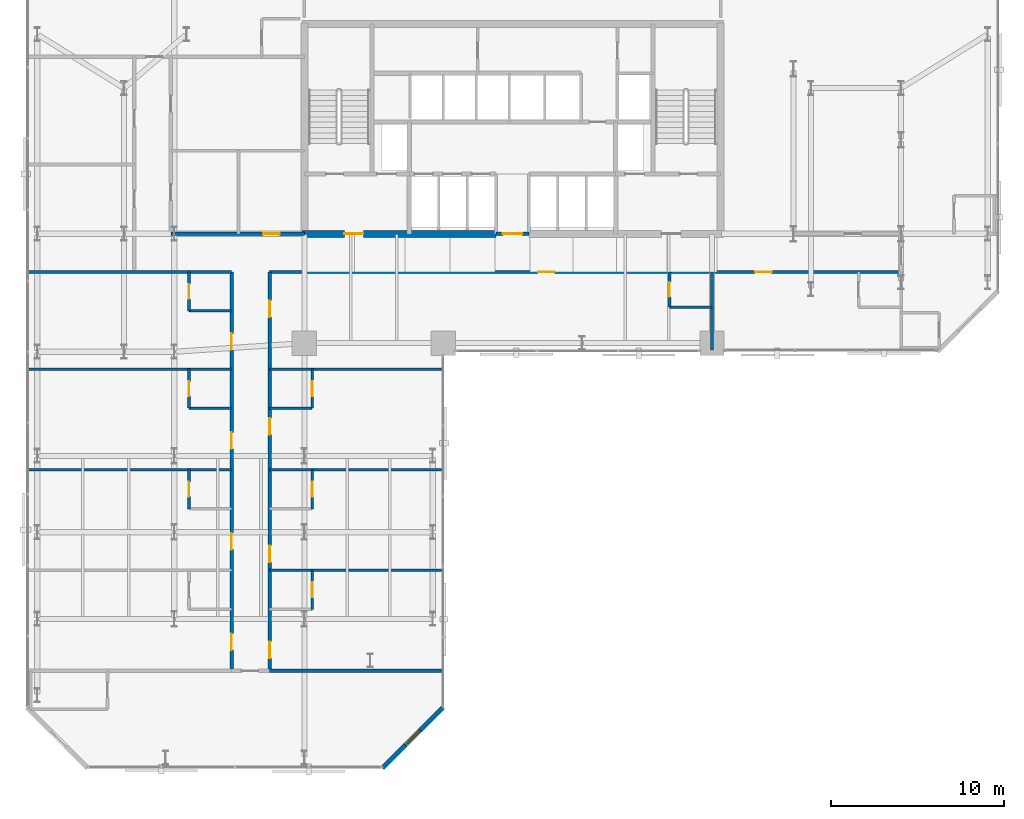
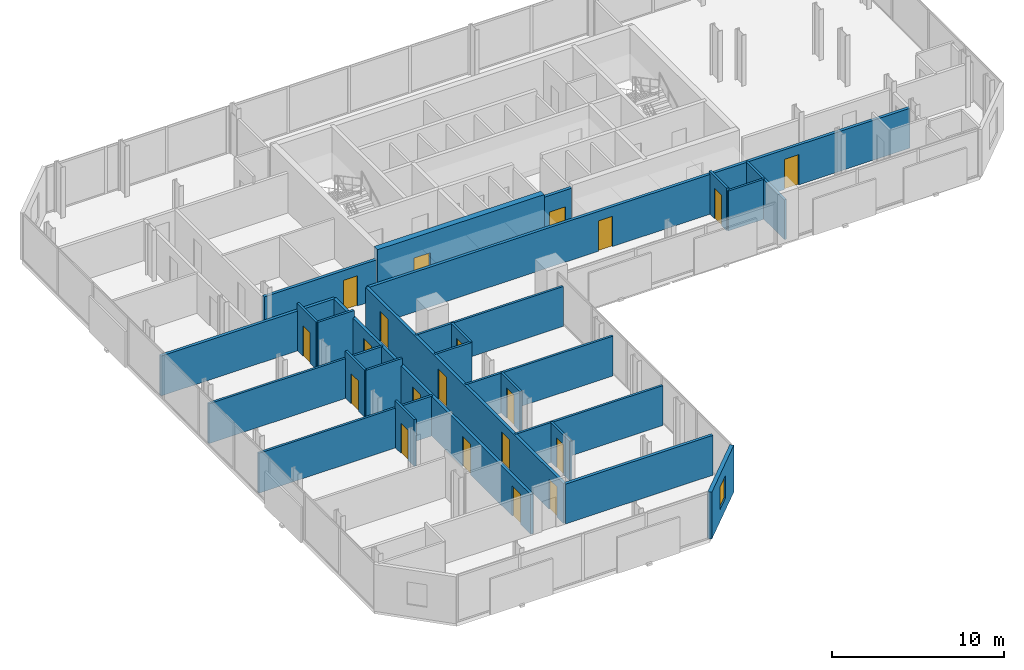
# One storey, part 28 of 32: 26 walls, 20 doors, 1 window, 21 openings.
"""IFC4 building model written with IfcOpenShell, lengths in metres."""

import ifcopenshell
import ifcopenshell.guid

model = None  # the IFC model being written
_history = None  # IfcOwnerHistory: only IFC2X3 demands one
_inside = {}  # id of a spatial element -> (the spatial element, [elements in it])
_under = {}  # id of a project, library or spatial element -> (it, [spatial elements below it])
_declared = {}  # id of a project -> (the project, [libraries it declares])
_typed = {}  # id of a type object -> (the type object, [elements of that type])
_made_of = {}  # id of a material, layer set ... -> (it, [elements and type objects made of it])


def new_model(schema):
    """Start an empty IFC model of exactly this schema.

    Asked for "IFC4X3", IfcOpenShell would pick the latest addendum, in which some entities
    have other attributes; the version numbers below select the first issue.
    IFC2X3 requires an IfcOwnerHistory on every rooted entity: one is made here for all.
    """
    global model, _history
    if schema == "IFC4X3":
        model = ifcopenshell.file(schema_version=(4, 3, 0, 0))
    else:
        model = ifcopenshell.file(schema=schema)
    _inside.clear()
    _under.clear()
    _declared.clear()
    _typed.clear()
    _made_of.clear()
    _history = None
    if model.schema == "IFC2X3":
        org = make("IfcOrganization", Name="unknown")
        user = make(
            "IfcPersonAndOrganization",
            ThePerson=make("IfcPerson", FamilyName="unknown"),
            TheOrganization=org,
        )
        app = make(
            "IfcApplication",
            ApplicationDeveloper=org,
            Version="unknown",
            ApplicationFullName="unknown",
            ApplicationIdentifier="unknown",
        )
        _history = make(
            "IfcOwnerHistory",
            OwningUser=user,
            OwningApplication=app,
            ChangeAction="ADDED",
            CreationDate=0,
        )
    return model


def make(cls, **values):
    """One entity of the class cls with the attributes given. An attribute that is None is left unset."""
    return model.create_entity(
        cls, **{name: value for name, value in values.items() if value is not None}
    )


def rooted(cls, **values):
    """An entity with a GlobalId (a new one), such as an element, a storey or a relation."""
    return make(cls, GlobalId=ifcopenshell.guid.new(), OwnerHistory=_history, **values)


def si_unit(unit_type, name, prefix=None):
    """IfcSIUnit, for example si_unit("LENGTHUNIT", "METRE", prefix="MILLI")."""
    return make("IfcSIUnit", UnitType=unit_type, Prefix=prefix, Name=name)


def assignment(units):
    """IfcUnitAssignment: the units of a project."""
    return None if units is None else make("IfcUnitAssignment", Units=units)


def point(xyz):
    """IfcCartesianPoint."""
    return None if xyz is None else make("IfcCartesianPoint", Coordinates=xyz)


def direction(xyz):
    """IfcDirection."""
    return None if xyz is None else make("IfcDirection", DirectionRatios=xyz)


def frame(location, z_axis=None, x_axis=None):
    """IfcAxis2Placement3D, a coordinate frame: its origin and axes. An axis left out is left unset."""
    return make(
        "IfcAxis2Placement3D",
        Location=point(location),
        Axis=direction(z_axis),
        RefDirection=direction(x_axis),
    )


def frame_2d(location, x_axis=None):
    """IfcAxis2Placement2D, a coordinate frame in the plane: its origin and x axis."""
    return make(
        "IfcAxis2Placement2D", Location=point(location), RefDirection=direction(x_axis)
    )


def origin():
    """The frame at (0, 0, 0) with its axes left unset."""
    return frame((0.0, 0.0, 0.0))


def place(relative_to, where):
    """IfcLocalPlacement: puts the frame where relative to a parent placement (None: the world)."""
    return make(
        "IfcLocalPlacement", PlacementRelTo=relative_to, RelativePlacement=where
    )


def context(
    kind, dimensions, precision=None, world=None, true_north=None, identifier=None
):
    """IfcGeometricRepresentationContext, for example the 3D "Model" context."""
    return make(
        "IfcGeometricRepresentationContext",
        ContextIdentifier=identifier,
        ContextType=kind,
        CoordinateSpaceDimension=dimensions,
        Precision=precision,
        WorldCoordinateSystem=world,
        TrueNorth=true_north,
    )


def subcontext(parent, identifier, kind, view, scale=None):
    """IfcGeometricRepresentationSubContext, for example "Body" below "Model"."""
    return make(
        "IfcGeometricRepresentationSubContext",
        ContextIdentifier=identifier,
        ContextType=kind,
        ParentContext=parent,
        TargetScale=scale,
        TargetView=view,
    )


def project(units=None, contexts=None):
    """IfcProject with its units and contexts."""
    return rooted(
        "IfcProject",
        Name="project",
        RepresentationContexts=contexts,
        UnitsInContext=assignment(units),
    )


def spatial(cls, under=None, at=None, **own):
    """A site, building, storey or space (cls), placed at a placement, below another one or the project."""
    s = rooted(cls, ObjectPlacement=at, **own)
    if under is not None:
        _under.setdefault(under.id(), (under, []))[1].append(s)
    return s


def profile(cls, at=None, kind="AREA", **sizes):
    """A parametric profile (cls). Its sizes go by their IFC names, for example OverallWidth=200.0."""
    return make(cls, ProfileType=kind, Position=at, **sizes)


def rectangle(**sizes):
    """IfcRectangleProfileDef."""
    return profile("IfcRectangleProfileDef", **sizes)


def extrude(swept, where, along, depth):
    """IfcExtrudedAreaSolid: the profile swept, set in the frame where, extruded along a direction by depth."""
    return make(
        "IfcExtrudedAreaSolid",
        SweptArea=swept,
        Position=where,
        ExtrudedDirection=direction(along),
        Depth=depth,
    )


def shape(context_of_items, identifier, shape_type, items):
    """IfcShapeRepresentation: the items that make up one representation, for example the "Body"."""
    return make(
        "IfcShapeRepresentation",
        ContextOfItems=context_of_items,
        RepresentationIdentifier=identifier,
        RepresentationType=shape_type,
        Items=items,
    )


def material(Name=None, Category=None):
    """IfcMaterial."""
    return make("IfcMaterial", Name=Name, Category=Category)


def layer(
    of_material, thickness, ventilated=None, Name=None, Category=None, Priority=None
):
    """IfcMaterialLayer: one layer of a wall or slab, of a material (None: an air gap)."""
    return make(
        "IfcMaterialLayer",
        Material=of_material,
        LayerThickness=thickness,
        IsVentilated=ventilated,
        Name=Name,
        Category=Category,
        Priority=Priority,
    )


def layer_set(layers, Name=None):
    """IfcMaterialLayerSet."""
    return make("IfcMaterialLayerSet", MaterialLayers=layers, LayerSetName=Name)


def made_of(thing, what):
    """Note that an element or type object is made of a material, layer set ...; save() writes the relation."""
    if what is not None:
        _made_of.setdefault(what.id(), (what, []))[1].append(thing)
    return thing


def type_object(cls, material=None, **own):
    """A type object (cls), such as IfcWallType, which elements share."""
    return made_of(rooted(cls, **own), material)


def element(
    cls,
    number,
    at=None,
    inside=None,
    cuts=None,
    type_object=None,
    material=None,
    context=None,
    identifier="Body",
    shape_type=None,
    held_by="IfcProductDefinitionShape",
    body=None,
    shapes=None,
    **own,
):
    """One element of the class cls, such as IfcWall. Its Tag is "e" and its number.

    at: its placement. inside: the storey or other place that contains it. cuts: it is an
    opening in that element (IfcRelVoidsElement). A single representation is given by context,
    identifier, shape_type and body (its items); several are given by shapes. held_by: the class
    of the entity that holds the representations. save() writes the other relations.
    """
    e = rooted(cls, Tag="e%d" % number, ObjectPlacement=at, **own)
    if body is not None:
        shapes = [shape(context, identifier, shape_type, body)]
    if shapes is not None:
        e.Representation = make(held_by, Representations=shapes)
    if inside is not None:
        _inside.setdefault(inside.id(), (inside, []))[1].append(e)
    if cuts is not None:
        rooted(
            "IfcRelVoidsElement", RelatingBuildingElement=cuts, RelatedOpeningElement=e
        )
    if type_object is not None:
        _typed.setdefault(type_object.id(), (type_object, []))[1].append(e)
    return made_of(e, material)


def fill(opening, filler):
    """IfcRelFillsElement: the door or window that sits in an opening."""
    return rooted(
        "IfcRelFillsElement",
        RelatingOpeningElement=opening,
        RelatedBuildingElement=filler,
    )


def aggregate(whole, parts):
    """IfcRelAggregates: a whole, such as a stair, and the parts it consists of."""
    return rooted("IfcRelAggregates", RelatingObject=whole, RelatedObjects=parts)


def save(model, path):
    """Write the relations noted so far, then the file.

    IfcRelAggregates (storeys below a building ...), IfcRelContainedInSpatialStructure (elements
    in a storey), IfcRelDefinesByType, IfcRelAssociatesMaterial and IfcRelDeclares: one each for
    every whole, place, type object, material and project.
    """
    for whole, parts in _under.values():
        aggregate(whole, parts)
    for where, things in _inside.values():
        rooted(
            "IfcRelContainedInSpatialStructure",
            RelatedElements=things,
            RelatingStructure=where,
        )
    for kind, things in _typed.values():
        rooted("IfcRelDefinesByType", RelatedObjects=things, RelatingType=kind)
    for what, things in _made_of.values():
        rooted("IfcRelAssociatesMaterial", RelatedObjects=things, RelatingMaterial=what)
    for by, libraries in _declared.values():
        rooted("IfcRelDeclares", RelatingContext=by, RelatedDefinitions=libraries)
    model.write(path)


model = new_model("IFC4")

# Units and contexts
model_context = context("Model", 3, precision=1e-05, world=origin(), true_north=direction((0.0, 1.0)))
body_context = subcontext(model_context, "Body", "Model", "MODEL_VIEW")
ifc_project = project(units=[si_unit("LENGTHUNIT", "METRE"), si_unit("AREAUNIT", "SQUARE_METRE"), si_unit("VOLUMEUNIT", "CUBIC_METRE"), si_unit("PLANEANGLEUNIT", "RADIAN"), si_unit("MASSUNIT", "GRAM", prefix="KILO")], contexts=[model_context])

# Site, building, storey
site_placement = place(None, origin())
site = spatial("IfcSite", under=ifc_project, at=site_placement, CompositionType="ELEMENT")
building_placement = place(site_placement, origin())
building = spatial("IfcBuilding", under=site, at=building_placement, Name="Catumbela Crestline Tower", CompositionType="ELEMENT")
storey_placement = place(building_placement, frame((0.0, 0.0, 69.0)))
storey = spatial("IfcBuildingStorey", under=building, at=storey_placement, Name="L17", CompositionType="ELEMENT", Elevation=69.0)

# Wall, opening, door
ifc_material_1 = material(Name="Concrete C60/75", Category="concrete")
ifc_layer_1 = layer(ifc_material_1, 0.4, Name="Concrete C60/75")
ifc_layer_set_1 = layer_set([ifc_layer_1], Name="Concrete C60/75")
wall_type_1 = type_object("IfcWallType", Name="CW-400A", PredefinedType="SHEAR", material=ifc_layer_set_1)
wall_1_placement = place(storey_placement, frame((15.85, 30.8, 0.0), z_axis=(0.0, 0.0, 1.0), x_axis=(1.0, 0.0, 0.0)))
wall_1 = element("IfcWall", 1, at=wall_1_placement, inside=storey, type_object=wall_type_1, Name="L17 Structural Core Shear Wall SW", PredefinedType="SHEAR", context=body_context, shape_type="SweptSolid", body=[
    extrude(rectangle(XDim=11.2, YDim=0.4, at=frame_2d((5.6, 0.0))), origin(), (0.0, 0.0, 1.0), 3.6),
])
opening_1_placement = place(wall_1_placement, frame((2.45, 0.0, 0.0)))
opening_1 = element("IfcOpeningElement", 2, at=opening_1_placement, cuts=wall_1, Name="Opening DF9-110", PredefinedType="OPENING", context=body_context, shape_type="SweptSolid", body=[
    extrude(rectangle(XDim=1.1, YDim=2.15, at=frame_2d((0.55, 1.075))), frame((0.0, 0.21, 0.0), z_axis=(0.0, -1.0, 0.0), x_axis=(1.0, 0.0, 0.0)), (0.0, 0.0, 1.0), 0.42),
])
ifc_material_2 = material(Name="Stainless steel EN 1.4401", Category="steel")
door_type_1 = type_object("IfcDoorType", Name="DF9-110", OperationType="NOTDEFINED", PredefinedType="DOOR", material=ifc_material_2)
door_1_placement = place(opening_1_placement, origin())
door_1 = element("IfcDoor", 3, at=door_1_placement, inside=storey, type_object=door_type_1, Name="L17 Interior Door DR-L17-FFW-S", OperationType="SINGLE_SWING_LEFT", OverallHeight=2.15, OverallWidth=1.1, PredefinedType="DOOR", context=body_context, shape_type="SweptSolid", body=[
    extrude(rectangle(XDim=1.1, YDim=2.15, at=frame_2d((0.55, 1.075))), frame((0.0, 0.025, 0.0), z_axis=(0.0, -1.0, 0.0), x_axis=(1.0, 0.0, 0.0)), (0.0, 0.0, 1.0), 0.05),
])
fill(opening_1, door_1)

ifc_material_3 = material(Name="Acoustic gypsum and mineral-wool partition")
ifc_layer_2 = layer(ifc_material_3, 0.2, Name="Acoustic gypsum and mineral-wool partition")
ifc_layer_set_2 = layer_set([ifc_layer_2], Name="Acoustic gypsum and mineral-wool partition")
wall_type_2 = type_object("IfcWallType", Name="WC-200", PredefinedType="PARTITIONING", material=ifc_layer_set_2)
wall_2_placement = place(storey_placement, frame((27.05, 30.8, 0.0), z_axis=(0.0, 0.0, 1.0), x_axis=(1.0, 0.0, 0.0)))
wall_2 = element("IfcWall", 4, at=wall_2_placement, inside=storey, type_object=wall_type_2, Name="L17 Interior Partition PW-L17-CLOBS", PredefinedType="PARTITIONING", context=body_context, shape_type="SweptSolid", body=[
    extrude(rectangle(XDim=1.9, YDim=0.2, at=frame_2d((0.95, 0.0))), origin(), (0.0, 0.0, 1.0), 3.33),
])
opening_2_placement = place(wall_2_placement, frame((0.4, 0.0, 0.0)))
opening_2 = element("IfcOpeningElement", 5, at=opening_2_placement, cuts=wall_2, Name="Opening DF9-110", PredefinedType="OPENING", context=body_context, shape_type="SweptSolid", body=[
    extrude(rectangle(XDim=1.1, YDim=2.15, at=frame_2d((0.55, 1.075))), frame((0.0, 0.11, 0.0), z_axis=(0.0, -1.0, 0.0), x_axis=(1.0, 0.0, 0.0)), (0.0, 0.0, 1.0), 0.22),
])
door_2_placement = place(opening_2_placement, origin())
door_2 = element("IfcDoor", 6, at=door_2_placement, inside=storey, type_object=door_type_1, Name="L17 Interior Door DR-L17-CLOBS", OperationType="SINGLE_SWING_LEFT", OverallHeight=2.15, OverallWidth=1.1, PredefinedType="DOOR", context=body_context, shape_type="SweptSolid", body=[
    extrude(rectangle(XDim=1.1, YDim=2.15, at=frame_2d((0.55, 1.075))), frame((0.0, 0.025, 0.0), z_axis=(0.0, -1.0, 0.0), x_axis=(1.0, 0.0, 0.0)), (0.0, 0.0, 1.0), 0.05),
])
fill(opening_2, door_2)

# Wall
wall_3_placement = place(storey_placement, frame((0.1, 28.6, 0.0), z_axis=(0.0, 0.0, 1.0), x_axis=(1.0, 0.0, 0.0)))
element("IfcWall", 7, at=wall_3_placement, inside=storey, type_object=wall_type_2, Name="L17 Interior Partition PW-L17-CWGL-N", PredefinedType="PARTITIONING", context=body_context, shape_type="SweptSolid", body=[
    extrude(rectangle(XDim=11.7, YDim=0.2, at=frame_2d((5.85, 0.0))), origin(), (0.0, 0.0, 1.0), 2.83),
])

# Wall, openings, doors
wall_4_placement = place(storey_placement, frame((14.0, 28.6, 0.0), z_axis=(0.0, 0.0, 1.0), x_axis=(1.0, 0.0, 0.0)))
wall_4 = element("IfcWall", 8, at=wall_4_placement, inside=storey, type_object=wall_type_2, Name="L17 Interior Partition PW-L17-CWGR-N", PredefinedType="PARTITIONING", context=body_context, shape_type="SweptSolid", body=[
    extrude(rectangle(XDim=36.4, YDim=0.2, at=frame_2d((18.2, 0.0))), origin(), (0.0, 0.0, 1.0), 2.83),
])
opening_3_placement = place(wall_4_placement, frame((15.475, 0.0, 0.0)))
opening_3 = element("IfcOpeningElement", 9, at=opening_3_placement, cuts=wall_4, Name="Opening DF6-095", PredefinedType="OPENING", context=body_context, shape_type="SweptSolid", body=[
    extrude(rectangle(XDim=0.95, YDim=2.15, at=frame_2d((0.475, 1.075))), frame((0.0, 0.11, 0.0), z_axis=(0.0, -1.0, 0.0), x_axis=(1.0, 0.0, 0.0)), (0.0, 0.0, 1.0), 0.22),
])
opening_4_placement = place(wall_4_placement, frame((27.9859, 0.0, 0.0)))
opening_4 = element("IfcOpeningElement", 10, at=opening_4_placement, cuts=wall_4, Name="Opening DF6-095", PredefinedType="OPENING", context=body_context, shape_type="SweptSolid", body=[
    extrude(rectangle(XDim=0.95, YDim=2.15, at=frame_2d((0.475, 1.075))), frame((0.0, 0.11, 0.0), z_axis=(0.0, -1.0, 0.0), x_axis=(1.0, 0.0, 0.0)), (0.0, 0.0, 1.0), 0.22),
])
ifc_material_4 = material(Name="Aluminium alloy AW-6060-T66", Category="aluminium")
door_type_2 = type_object("IfcDoorType", Name="DF6-095", OperationType="NOTDEFINED", PredefinedType="DOOR", material=ifc_material_4)
door_3_placement = place(opening_3_placement, origin())
door_3 = element("IfcDoor", 11, at=door_3_placement, inside=storey, type_object=door_type_2, Name="L17 Interior Door DR-L17-K1-ENT", OperationType="SINGLE_SWING_LEFT", OverallHeight=2.15, OverallWidth=0.95, PredefinedType="DOOR", context=body_context, shape_type="SweptSolid", body=[
    extrude(rectangle(XDim=0.95, YDim=2.15, at=frame_2d((0.475, 1.075))), frame((0.0, 0.025, 0.0), z_axis=(0.0, -1.0, 0.0), x_axis=(1.0, 0.0, 0.0)), (0.0, 0.0, 1.0), 0.05),
])
fill(opening_3, door_3)
door_4_placement = place(opening_4_placement, origin())
door_4 = element("IfcDoor", 12, at=door_4_placement, inside=storey, type_object=door_type_2, Name="L17 Interior Door DR-L17-K2-ENT", OperationType="SINGLE_SWING_RIGHT", OverallHeight=2.15, OverallWidth=0.95, PredefinedType="DOOR", context=body_context, shape_type="SweptSolid", body=[
    extrude(rectangle(XDim=0.95, YDim=2.15, at=frame_2d((0.475, 1.075))), frame((0.0, 0.025, 0.0), z_axis=(0.0, -1.0, 0.0), x_axis=(1.0, 0.0, 0.0)), (0.0, 0.0, 1.0), 0.05),
])
fill(opening_4, door_4)

# Wall, opening, door
wall_5_placement = place(storey_placement, frame((8.3, 30.8, 0.0), z_axis=(0.0, 0.0, 1.0), x_axis=(1.0, 0.0, 0.0)))
wall_5 = element("IfcWall", 13, at=wall_5_placement, inside=storey, type_object=wall_type_2, Name="L17 Interior Partition PW-L17-HK-S", PredefinedType="PARTITIONING", context=body_context, shape_type="SweptSolid", body=[
    extrude(rectangle(XDim=7.7, YDim=0.2, at=frame_2d((3.85, 0.0))), origin(), (0.0, 0.0, 1.0), 2.83),
])
opening_5_placement = place(wall_5_placement, frame((5.325, 0.0, 0.0)))
opening_5 = element("IfcOpeningElement", 14, at=opening_5_placement, cuts=wall_5, Name="Opening DF6-095", PredefinedType="OPENING", context=body_context, shape_type="SweptSolid", body=[
    extrude(rectangle(XDim=0.95, YDim=2.15, at=frame_2d((0.475, 1.075))), frame((0.0, 0.11, 0.0), z_axis=(0.0, -1.0, 0.0), x_axis=(1.0, 0.0, 0.0)), (0.0, 0.0, 1.0), 0.22),
])
door_5_placement = place(opening_5_placement, origin())
door_5 = element("IfcDoor", 15, at=door_5_placement, inside=storey, type_object=door_type_2, Name="L17 Interior Door DR-L17-HKP", OperationType="SINGLE_SWING_LEFT", OverallHeight=2.15, OverallWidth=0.95, PredefinedType="DOOR", context=body_context, shape_type="SweptSolid", body=[
    extrude(rectangle(XDim=0.95, YDim=2.15, at=frame_2d((0.475, 1.075))), frame((0.0, 0.025, 0.0), z_axis=(0.0, -1.0, 0.0), x_axis=(1.0, 0.0, 0.0)), (0.0, 0.0, 1.0), 0.05),
])
fill(opening_5, door_5)

# Wall, openings, doors
wall_6_placement = place(storey_placement, frame((11.8, 5.6, 0.0), z_axis=(0.0, 0.0, 1.0), x_axis=(0.0, 1.0, 0.0)))
wall_6 = element("IfcWall", 16, at=wall_6_placement, inside=storey, type_object=wall_type_2, Name="L17 Interior Partition PW-L17-WL1-ENT", PredefinedType="PARTITIONING", context=body_context, shape_type="SweptSolid", body=[
    extrude(rectangle(XDim=23.0, YDim=0.2, at=frame_2d((11.5, 0.0))), origin(), (0.0, 0.0, 1.0), 2.83),
])
opening_6_placement = place(wall_6_placement, frame((1.2, 0.0, 0.0)))
opening_6 = element("IfcOpeningElement", 17, at=opening_6_placement, cuts=wall_6, Name="Opening DF6-095", PredefinedType="OPENING", context=body_context, shape_type="SweptSolid", body=[
    extrude(rectangle(XDim=0.95, YDim=2.15, at=frame_2d((0.475, 1.075))), frame((0.0, 0.11, 0.0), z_axis=(0.0, -1.0, 0.0), x_axis=(1.0, 0.0, 0.0)), (0.0, 0.0, 1.0), 0.22),
])
opening_7_placement = place(wall_6_placement, frame((7.0, 0.0, 0.0)))
opening_7 = element("IfcOpeningElement", 18, at=opening_7_placement, cuts=wall_6, Name="Opening DF6-095", PredefinedType="OPENING", context=body_context, shape_type="SweptSolid", body=[
    extrude(rectangle(XDim=0.95, YDim=2.15, at=frame_2d((0.475, 1.075))), frame((0.0, 0.11, 0.0), z_axis=(0.0, -1.0, 0.0), x_axis=(1.0, 0.0, 0.0)), (0.0, 0.0, 1.0), 0.22),
])
opening_8_placement = place(wall_6_placement, frame((12.8, 0.0, 0.0)))
opening_8 = element("IfcOpeningElement", 19, at=opening_8_placement, cuts=wall_6, Name="Opening DF6-095", PredefinedType="OPENING", context=body_context, shape_type="SweptSolid", body=[
    extrude(rectangle(XDim=0.95, YDim=2.15, at=frame_2d((0.475, 1.075))), frame((0.0, 0.11, 0.0), z_axis=(0.0, -1.0, 0.0), x_axis=(1.0, 0.0, 0.0)), (0.0, 0.0, 1.0), 0.22),
])
opening_9_placement = place(wall_6_placement, frame((18.5145, 0.0, 0.0)))
opening_9 = element("IfcOpeningElement", 20, at=opening_9_placement, cuts=wall_6, Name="Opening DF6-095", PredefinedType="OPENING", context=body_context, shape_type="SweptSolid", body=[
    extrude(rectangle(XDim=0.95, YDim=2.15, at=frame_2d((0.475, 1.075))), frame((0.0, 0.11, 0.0), z_axis=(0.0, -1.0, 0.0), x_axis=(1.0, 0.0, 0.0)), (0.0, 0.0, 1.0), 0.22),
])
door_6_placement = place(opening_6_placement, origin())
door_6 = element("IfcDoor", 21, at=door_6_placement, inside=storey, type_object=door_type_2, Name="L17 Interior Door DR-L17-WL1-ENT", OperationType="SINGLE_SWING_LEFT", OverallHeight=2.15, OverallWidth=0.95, PredefinedType="DOOR", context=body_context, shape_type="SweptSolid", body=[
    extrude(rectangle(XDim=0.95, YDim=2.15, at=frame_2d((0.475, 1.075))), frame((0.0, 0.025, 0.0), z_axis=(0.0, -1.0, 0.0), x_axis=(1.0, 0.0, 0.0)), (0.0, 0.0, 1.0), 0.05),
])
fill(opening_6, door_6)
door_7_placement = place(opening_7_placement, origin())
door_7 = element("IfcDoor", 22, at=door_7_placement, inside=storey, type_object=door_type_2, Name="L17 Interior Door DR-L17-WL2-ENT", OperationType="SINGLE_SWING_RIGHT", OverallHeight=2.15, OverallWidth=0.95, PredefinedType="DOOR", context=body_context, shape_type="SweptSolid", body=[
    extrude(rectangle(XDim=0.95, YDim=2.15, at=frame_2d((0.475, 1.075))), frame((0.0, 0.025, 0.0), z_axis=(0.0, -1.0, 0.0), x_axis=(1.0, 0.0, 0.0)), (0.0, 0.0, 1.0), 0.05),
])
fill(opening_7, door_7)
door_8_placement = place(opening_8_placement, origin())
door_8 = element("IfcDoor", 23, at=door_8_placement, inside=storey, type_object=door_type_2, Name="L17 Interior Door DR-L17-WL3-ENT", OperationType="SINGLE_SWING_LEFT", OverallHeight=2.15, OverallWidth=0.95, PredefinedType="DOOR", context=body_context, shape_type="SweptSolid", body=[
    extrude(rectangle(XDim=0.95, YDim=2.15, at=frame_2d((0.475, 1.075))), frame((0.0, 0.025, 0.0), z_axis=(0.0, -1.0, 0.0), x_axis=(1.0, 0.0, 0.0)), (0.0, 0.0, 1.0), 0.05),
])
fill(opening_8, door_8)
door_9_placement = place(opening_9_placement, origin())
door_9 = element("IfcDoor", 24, at=door_9_placement, inside=storey, type_object=door_type_2, Name="L17 Interior Door DR-L17-WL4-ENT", OperationType="SINGLE_SWING_RIGHT", OverallHeight=2.15, OverallWidth=0.95, PredefinedType="DOOR", context=body_context, shape_type="SweptSolid", body=[
    extrude(rectangle(XDim=0.95, YDim=2.15, at=frame_2d((0.475, 1.075))), frame((0.0, 0.025, 0.0), z_axis=(0.0, -1.0, 0.0), x_axis=(1.0, 0.0, 0.0)), (0.0, 0.0, 1.0), 0.05),
])
fill(opening_9, door_9)

wall_7_placement = place(storey_placement, frame((14.0, 5.6, 0.0), z_axis=(0.0, 0.0, 1.0), x_axis=(0.0, 1.0, 0.0)))
wall_7 = element("IfcWall", 25, at=wall_7_placement, inside=storey, type_object=wall_type_2, Name="L17 Interior Partition PW-L17-WR1-ENT", PredefinedType="PARTITIONING", context=body_context, shape_type="SweptSolid", body=[
    extrude(rectangle(XDim=23.0, YDim=0.2, at=frame_2d((11.5, 0.0))), origin(), (0.0, 0.0, 1.0), 2.83),
])
opening_10_placement = place(wall_7_placement, frame((0.74, 0.0, 0.0)))
opening_10 = element("IfcOpeningElement", 26, at=opening_10_placement, cuts=wall_7, Name="Opening DF6-095", PredefinedType="OPENING", context=body_context, shape_type="SweptSolid", body=[
    extrude(rectangle(XDim=0.95, YDim=2.15, at=frame_2d((0.475, 1.075))), frame((0.0, 0.11, 0.0), z_axis=(0.0, -1.0, 0.0), x_axis=(1.0, 0.0, 0.0)), (0.0, 0.0, 1.0), 0.22),
])
opening_11_placement = place(wall_7_placement, frame((6.2709, 0.0, 0.0)))
opening_11 = element("IfcOpeningElement", 27, at=opening_11_placement, cuts=wall_7, Name="Opening DF6-095", PredefinedType="OPENING", context=body_context, shape_type="SweptSolid", body=[
    extrude(rectangle(XDim=0.95, YDim=2.15, at=frame_2d((0.475, 1.075))), frame((0.0, 0.11, 0.0), z_axis=(0.0, -1.0, 0.0), x_axis=(1.0, 0.0, 0.0)), (0.0, 0.0, 1.0), 0.22),
])
opening_12_placement = place(wall_7_placement, frame((13.6255, 0.0, 0.0)))
opening_12 = element("IfcOpeningElement", 28, at=opening_12_placement, cuts=wall_7, Name="Opening DF6-095", PredefinedType="OPENING", context=body_context, shape_type="SweptSolid", body=[
    extrude(rectangle(XDim=0.95, YDim=2.15, at=frame_2d((0.475, 1.075))), frame((0.0, 0.11, 0.0), z_axis=(0.0, -1.0, 0.0), x_axis=(1.0, 0.0, 0.0)), (0.0, 0.0, 1.0), 0.22),
])
opening_13_placement = place(wall_7_placement, frame((20.3933, 0.0, 0.0)))
opening_13 = element("IfcOpeningElement", 29, at=opening_13_placement, cuts=wall_7, Name="Opening DF6-095", PredefinedType="OPENING", context=body_context, shape_type="SweptSolid", body=[
    extrude(rectangle(XDim=0.95, YDim=2.15, at=frame_2d((0.475, 1.075))), frame((0.0, 0.11, 0.0), z_axis=(0.0, -1.0, 0.0), x_axis=(1.0, 0.0, 0.0)), (0.0, 0.0, 1.0), 0.22),
])
door_10_placement = place(opening_10_placement, origin())
door_10 = element("IfcDoor", 30, at=door_10_placement, inside=storey, type_object=door_type_2, Name="L17 Interior Door DR-L17-WR1-ENT", OperationType="SINGLE_SWING_LEFT", OverallHeight=2.15, OverallWidth=0.95, PredefinedType="DOOR", context=body_context, shape_type="SweptSolid", body=[
    extrude(rectangle(XDim=0.95, YDim=2.15, at=frame_2d((0.475, 1.075))), frame((0.0, 0.025, 0.0), z_axis=(0.0, -1.0, 0.0), x_axis=(1.0, 0.0, 0.0)), (0.0, 0.0, 1.0), 0.05),
])
fill(opening_10, door_10)
door_11_placement = place(opening_11_placement, origin())
door_11 = element("IfcDoor", 31, at=door_11_placement, inside=storey, type_object=door_type_2, Name="L17 Interior Door DR-L17-WR2-ENT", OperationType="SINGLE_SWING_RIGHT", OverallHeight=2.15, OverallWidth=0.95, PredefinedType="DOOR", context=body_context, shape_type="SweptSolid", body=[
    extrude(rectangle(XDim=0.95, YDim=2.15, at=frame_2d((0.475, 1.075))), frame((0.0, 0.025, 0.0), z_axis=(0.0, -1.0, 0.0), x_axis=(1.0, 0.0, 0.0)), (0.0, 0.0, 1.0), 0.05),
])
fill(opening_11, door_11)
door_12_placement = place(opening_12_placement, origin())
door_12 = element("IfcDoor", 32, at=door_12_placement, inside=storey, type_object=door_type_2, Name="L17 Interior Door DR-L17-WR3-ENT", OperationType="SINGLE_SWING_LEFT", OverallHeight=2.15, OverallWidth=0.95, PredefinedType="DOOR", context=body_context, shape_type="SweptSolid", body=[
    extrude(rectangle(XDim=0.95, YDim=2.15, at=frame_2d((0.475, 1.075))), frame((0.0, 0.025, 0.0), z_axis=(0.0, -1.0, 0.0), x_axis=(1.0, 0.0, 0.0)), (0.0, 0.0, 1.0), 0.05),
])
fill(opening_12, door_12)
door_13_placement = place(opening_13_placement, origin())
door_13 = element("IfcDoor", 33, at=door_13_placement, inside=storey, type_object=door_type_2, Name="L17 Interior Door DR-L17-WR4-ENT", OperationType="SINGLE_SWING_RIGHT", OverallHeight=2.15, OverallWidth=0.95, PredefinedType="DOOR", context=body_context, shape_type="SweptSolid", body=[
    extrude(rectangle(XDim=0.95, YDim=2.15, at=frame_2d((0.475, 1.075))), frame((0.0, 0.025, 0.0), z_axis=(0.0, -1.0, 0.0), x_axis=(1.0, 0.0, 0.0)), (0.0, 0.0, 1.0), 0.05),
])
fill(opening_13, door_13)

# Wall, opening, window
ifc_material_5 = material(Name="Angolan grey-ochre granite", Category="masonry")
ifc_layer_3 = layer(ifc_material_5, 0.25, Name="Angolan grey-ochre granite")
ifc_layer_set_3 = layer_set([ifc_layer_3], Name="Angolan grey-ochre granite")
wall_type_3 = type_object("IfcWallType", Name="WE-250", PredefinedType="STANDARD", material=ifc_layer_set_3)
wall_8_placement = place(storey_placement, frame((20.5, 0.0, 0.0), z_axis=(0.0, 0.0, 1.0), x_axis=(0.707106781187, 0.707106781187, 0.0)))
wall_8 = element("IfcWall", 34, at=wall_8_placement, inside=storey, type_object=wall_type_3, Name="L17 Granite Punched Window Wall 1-1", PredefinedType="STANDARD", context=body_context, shape_type="SweptSolid", body=[
    extrude(rectangle(XDim=4.9497, YDim=0.25, at=frame_2d((2.4748, 0.0))), origin(), (0.0, 0.0, 1.0), 3.33),
])
opening_14_placement = place(wall_8_placement, frame((1.8748, 0.0, 0.85)))
opening_14 = element("IfcOpeningElement", 35, at=opening_14_placement, cuts=wall_8, Name="Opening WN-02", PredefinedType="OPENING", context=body_context, shape_type="SweptSolid", body=[
    extrude(rectangle(XDim=1.2, YDim=1.6, at=frame_2d((0.6, 0.8))), frame((0.0, 0.135, 0.0), z_axis=(0.0, -1.0, 0.0), x_axis=(1.0, 0.0, 0.0)), (0.0, 0.0, 1.0), 0.27),
])
ifc_material_6 = material(Name="Low-E laminated solar-control double glazing", Category="glass")
window_type = type_object("IfcWindowType", Name="WO-1200", PartitioningType="SINGLE_PANEL", PredefinedType="WINDOW", material=ifc_material_6)
window_placement = place(opening_14_placement, origin())
window = element("IfcWindow", 36, at=window_placement, inside=storey, type_object=window_type, Name="L17 Facade Vision Window 108", OverallHeight=1.6, OverallWidth=1.2, PartitioningType="SINGLE_PANEL", PredefinedType="WINDOW", context=body_context, shape_type="SweptSolid", body=[
    extrude(rectangle(XDim=1.2, YDim=1.6, at=frame_2d((0.6, 0.8))), frame((0.0, 0.03, 0.0), z_axis=(0.0, -1.0, 0.0), x_axis=(1.0, 0.0, 0.0)), (0.0, 0.0, 1.0), 0.06),
])
fill(opening_14, window)

# Wall
ifc_layer_4 = layer(ifc_material_3, 0.15, Name="Acoustic gypsum and mineral-wool partition")
ifc_layer_set_4 = layer_set([ifc_layer_4], Name="Acoustic gypsum and mineral-wool partition")
wall_type_4 = type_object("IfcWallType", Name="WP-150", PredefinedType="PARTITIONING", material=ifc_layer_set_4)
wall_9_placement = place(storey_placement, frame((37.05, 26.576, 0.0), z_axis=(0.0, 0.0, 1.0), x_axis=(1.0, 0.0, 0.0)))
element("IfcWall", 37, at=wall_9_placement, inside=storey, type_object=wall_type_4, Name="L17 Interior Partition PW-L17-K1-BHW", PredefinedType="PARTITIONING", context=body_context, shape_type="SweptSolid", body=[
    extrude(rectangle(XDim=2.45, YDim=0.15, at=frame_2d((1.225, 0.0))), origin(), (0.0, 0.0, 1.0), 2.83),
])

# Wall, opening, door
wall_10_placement = place(storey_placement, frame((37.05, 26.576, 0.0), z_axis=(0.0, 0.0, 1.0), x_axis=(0.0, 1.0, 0.0)))
wall_10 = element("IfcWall", 38, at=wall_10_placement, inside=storey, type_object=wall_type_4, Name="L17 Interior Partition PW-L17-K1-BWW", PredefinedType="PARTITIONING", context=body_context, shape_type="SweptSolid", body=[
    extrude(rectangle(XDim=2.024, YDim=0.15, at=frame_2d((1.012, 0.0))), origin(), (0.0, 0.0, 1.0), 3.02),
])
opening_15_placement = place(wall_10_placement, frame((0.587, 0.0, 0.0)))
opening_15 = element("IfcOpeningElement", 39, at=opening_15_placement, cuts=wall_10, Name="Opening DI-085", PredefinedType="OPENING", context=body_context, shape_type="SweptSolid", body=[
    extrude(rectangle(XDim=0.85, YDim=2.15, at=frame_2d((0.425, 1.075))), frame((0.0, 0.085, 0.0), z_axis=(0.0, -1.0, 0.0), x_axis=(1.0, 0.0, 0.0)), (0.0, 0.0, 1.0), 0.17),
])
door_type_3 = type_object("IfcDoorType", Name="DI-085", OperationType="NOTDEFINED", PredefinedType="DOOR", material=ifc_material_4)
door_14_placement = place(opening_15_placement, origin())
door_14 = element("IfcDoor", 40, at=door_14_placement, inside=storey, type_object=door_type_3, Name="L17 Interior Door DR-L17-K1-BTH", OperationType="SINGLE_SWING_RIGHT", OverallHeight=2.15, OverallWidth=0.85, PredefinedType="DOOR", context=body_context, shape_type="SweptSolid", body=[
    extrude(rectangle(XDim=0.85, YDim=2.15, at=frame_2d((0.425, 1.075))), frame((0.0, 0.025, 0.0), z_axis=(0.0, -1.0, 0.0), x_axis=(1.0, 0.0, 0.0)), (0.0, 0.0, 1.0), 0.05),
])
fill(opening_15, door_14)

# Wall
wall_11_placement = place(storey_placement, frame((39.5, 28.6, 0.0), z_axis=(0.0, 0.0, 1.0), x_axis=(0.0, -1.0, 0.0)))
element("IfcWall", 41, at=wall_11_placement, inside=storey, type_object=wall_type_4, Name="L17 Interior Partition PW-L17-K1-BCL-2", PredefinedType="PARTITIONING", context=body_context, shape_type="SweptSolid", body=[
    extrude(rectangle(XDim=4.5, YDim=0.15, at=frame_2d((2.25, 0.0))), origin(), (0.0, 0.0, 1.0), 2.83),
])

# Wall, opening, door
wall_12_placement = place(storey_placement, frame((16.45, 9.15, 0.0), z_axis=(0.0, 0.0, 1.0), x_axis=(0.0, 1.0, 0.0)))
wall_12 = element("IfcWall", 42, at=wall_12_placement, inside=storey, type_object=wall_type_4, Name="L17 Interior Partition PW-L17-WR1-BEW", PredefinedType="PARTITIONING", context=body_context, shape_type="SweptSolid", body=[
    extrude(rectangle(XDim=2.25, YDim=0.15, at=frame_2d((1.125, 0.0))), origin(), (0.0, 0.0, 1.0), 2.83),
])
opening_16_placement = place(wall_12_placement, frame((0.7, 0.0, 0.0)))
opening_16 = element("IfcOpeningElement", 43, at=opening_16_placement, cuts=wall_12, Name="Opening DI-085", PredefinedType="OPENING", context=body_context, shape_type="SweptSolid", body=[
    extrude(rectangle(XDim=0.85, YDim=2.15, at=frame_2d((0.425, 1.075))), frame((0.0, 0.085, 0.0), z_axis=(0.0, -1.0, 0.0), x_axis=(1.0, 0.0, 0.0)), (0.0, 0.0, 1.0), 0.17),
])
door_15_placement = place(opening_16_placement, origin())
door_15 = element("IfcDoor", 44, at=door_15_placement, inside=storey, type_object=door_type_3, Name="L17 Interior Door DR-L17-WR1-BTH", OperationType="SINGLE_SWING_LEFT", OverallHeight=2.15, OverallWidth=0.85, PredefinedType="DOOR", context=body_context, shape_type="SweptSolid", body=[
    extrude(rectangle(XDim=0.85, YDim=2.15, at=frame_2d((0.425, 1.075))), frame((0.0, 0.025, 0.0), z_axis=(0.0, -1.0, 0.0), x_axis=(1.0, 0.0, 0.0)), (0.0, 0.0, 1.0), 0.05),
])
fill(opening_16, door_15)

# Wall
wall_13_placement = place(storey_placement, frame((14.0, 11.4, 0.0), z_axis=(0.0, 0.0, 1.0), x_axis=(1.0, 0.0, 0.0)))
element("IfcWall", 45, at=wall_13_placement, inside=storey, type_object=wall_type_4, Name="L17 Interior Partition PW-L17-WR1-BCL-1", PredefinedType="PARTITIONING", context=body_context, shape_type="SweptSolid", body=[
    extrude(rectangle(XDim=9.9, YDim=0.15, at=frame_2d((4.95, 0.0))), origin(), (0.0, 0.0, 1.0), 2.83),
])

# Wall, opening, door
wall_14_placement = place(storey_placement, frame((9.35, 14.95, 0.0), z_axis=(0.0, 0.0, 1.0), x_axis=(0.0, 1.0, 0.0)))
wall_14 = element("IfcWall", 46, at=wall_14_placement, inside=storey, type_object=wall_type_4, Name="L17 Interior Partition PW-L17-WL2-BWW", PredefinedType="PARTITIONING", context=body_context, shape_type="SweptSolid", body=[
    extrude(rectangle(XDim=2.25, YDim=0.15, at=frame_2d((1.125, 0.0))), origin(), (0.0, 0.0, 1.0), 3.33),
])
opening_17_placement = place(wall_14_placement, frame((0.7, 0.0, 0.0)))
opening_17 = element("IfcOpeningElement", 47, at=opening_17_placement, cuts=wall_14, Name="Opening DI-085", PredefinedType="OPENING", context=body_context, shape_type="SweptSolid", body=[
    extrude(rectangle(XDim=0.85, YDim=2.15, at=frame_2d((0.425, 1.075))), frame((0.0, 0.085, 0.0), z_axis=(0.0, -1.0, 0.0), x_axis=(1.0, 0.0, 0.0)), (0.0, 0.0, 1.0), 0.17),
])
door_16_placement = place(opening_17_placement, origin())
door_16 = element("IfcDoor", 48, at=door_16_placement, inside=storey, type_object=door_type_3, Name="L17 Interior Door DR-L17-WL2-BTH", OperationType="SINGLE_SWING_RIGHT", OverallHeight=2.15, OverallWidth=0.85, PredefinedType="DOOR", context=body_context, shape_type="SweptSolid", body=[
    extrude(rectangle(XDim=0.85, YDim=2.15, at=frame_2d((0.425, 1.075))), frame((0.0, 0.025, 0.0), z_axis=(0.0, -1.0, 0.0), x_axis=(1.0, 0.0, 0.0)), (0.0, 0.0, 1.0), 0.05),
])
fill(opening_17, door_16)

# Wall
wall_15_placement = place(storey_placement, frame((0.1, 17.2, 0.0), z_axis=(0.0, 0.0, 1.0), x_axis=(1.0, 0.0, 0.0)))
element("IfcWall", 49, at=wall_15_placement, inside=storey, type_object=wall_type_4, Name="L17 Interior Partition PW-L17-WL2-BCL-1", PredefinedType="PARTITIONING", context=body_context, shape_type="SweptSolid", body=[
    extrude(rectangle(XDim=11.7, YDim=0.15, at=frame_2d((5.85, 0.0))), origin(), (0.0, 0.0, 1.0), 2.83),
])

# Wall, opening, door
wall_16_placement = place(storey_placement, frame((16.45, 14.95, 0.0), z_axis=(0.0, 0.0, 1.0), x_axis=(0.0, 1.0, 0.0)))
wall_16 = element("IfcWall", 50, at=wall_16_placement, inside=storey, type_object=wall_type_4, Name="L17 Interior Partition PW-L17-WR2-BEW", PredefinedType="PARTITIONING", context=body_context, shape_type="SweptSolid", body=[
    extrude(rectangle(XDim=2.25, YDim=0.15, at=frame_2d((1.125, 0.0))), origin(), (0.0, 0.0, 1.0), 2.83),
])
opening_18_placement = place(wall_16_placement, frame((0.7, 0.0, 0.0)))
opening_18 = element("IfcOpeningElement", 51, at=opening_18_placement, cuts=wall_16, Name="Opening DI-085", PredefinedType="OPENING", context=body_context, shape_type="SweptSolid", body=[
    extrude(rectangle(XDim=0.85, YDim=2.15, at=frame_2d((0.425, 1.075))), frame((0.0, 0.085, 0.0), z_axis=(0.0, -1.0, 0.0), x_axis=(1.0, 0.0, 0.0)), (0.0, 0.0, 1.0), 0.17),
])
door_17_placement = place(opening_18_placement, origin())
door_17 = element("IfcDoor", 52, at=door_17_placement, inside=storey, type_object=door_type_3, Name="L17 Interior Door DR-L17-WR2-BTH", OperationType="SINGLE_SWING_LEFT", OverallHeight=2.15, OverallWidth=0.85, PredefinedType="DOOR", context=body_context, shape_type="SweptSolid", body=[
    extrude(rectangle(XDim=0.85, YDim=2.15, at=frame_2d((0.425, 1.075))), frame((0.0, 0.025, 0.0), z_axis=(0.0, -1.0, 0.0), x_axis=(1.0, 0.0, 0.0)), (0.0, 0.0, 1.0), 0.05),
])
fill(opening_18, door_17)

# Walls
wall_17_placement = place(storey_placement, frame((14.0, 17.2, 0.0), z_axis=(0.0, 0.0, 1.0), x_axis=(1.0, 0.0, 0.0)))
element("IfcWall", 53, at=wall_17_placement, inside=storey, type_object=wall_type_4, Name="L17 Interior Partition PW-L17-WR2-BCL-1", PredefinedType="PARTITIONING", context=body_context, shape_type="SweptSolid", body=[
    extrude(rectangle(XDim=9.9, YDim=0.15, at=frame_2d((4.95, 0.0))), origin(), (0.0, 0.0, 1.0), 2.83),
])
wall_18_placement = place(storey_placement, frame((9.35, 20.75, 0.0), z_axis=(0.0, 0.0, 1.0), x_axis=(1.0, 0.0, 0.0)))
element("IfcWall", 54, at=wall_18_placement, inside=storey, type_object=wall_type_4, Name="L17 Interior Partition PW-L17-WL3-BSW", PredefinedType="PARTITIONING", context=body_context, shape_type="SweptSolid", body=[
    extrude(rectangle(XDim=2.45, YDim=0.15, at=frame_2d((1.225, 0.0))), origin(), (0.0, 0.0, 1.0), 3.33),
])

# Wall, opening, door
wall_19_placement = place(storey_placement, frame((9.35, 20.75, 0.0), z_axis=(0.0, 0.0, 1.0), x_axis=(0.0, 1.0, 0.0)))
wall_19 = element("IfcWall", 55, at=wall_19_placement, inside=storey, type_object=wall_type_4, Name="L17 Interior Partition PW-L17-WL3-BWW", PredefinedType="PARTITIONING", context=body_context, shape_type="SweptSolid", body=[
    extrude(rectangle(XDim=2.25, YDim=0.15, at=frame_2d((1.125, 0.0))), origin(), (0.0, 0.0, 1.0), 3.33),
])
opening_19_placement = place(wall_19_placement, frame((0.7, 0.0, 0.0)))
opening_19 = element("IfcOpeningElement", 56, at=opening_19_placement, cuts=wall_19, Name="Opening DI-085", PredefinedType="OPENING", context=body_context, shape_type="SweptSolid", body=[
    extrude(rectangle(XDim=0.85, YDim=2.15, at=frame_2d((0.425, 1.075))), frame((0.0, 0.085, 0.0), z_axis=(0.0, -1.0, 0.0), x_axis=(1.0, 0.0, 0.0)), (0.0, 0.0, 1.0), 0.17),
])
door_18_placement = place(opening_19_placement, origin())
door_18 = element("IfcDoor", 57, at=door_18_placement, inside=storey, type_object=door_type_3, Name="L17 Interior Door DR-L17-WL3-BTH", OperationType="SINGLE_SWING_RIGHT", OverallHeight=2.15, OverallWidth=0.85, PredefinedType="DOOR", context=body_context, shape_type="SweptSolid", body=[
    extrude(rectangle(XDim=0.85, YDim=2.15, at=frame_2d((0.425, 1.075))), frame((0.0, 0.025, 0.0), z_axis=(0.0, -1.0, 0.0), x_axis=(1.0, 0.0, 0.0)), (0.0, 0.0, 1.0), 0.05),
])
fill(opening_19, door_18)

# Walls
wall_20_placement = place(storey_placement, frame((0.1, 23.0, 0.0), z_axis=(0.0, 0.0, 1.0), x_axis=(1.0, 0.0, 0.0)))
element("IfcWall", 58, at=wall_20_placement, inside=storey, type_object=wall_type_4, Name="L17 Interior Partition PW-L17-WL3-BCL-1", PredefinedType="PARTITIONING", context=body_context, shape_type="SweptSolid", body=[
    extrude(rectangle(XDim=11.7, YDim=0.15, at=frame_2d((5.85, 0.0))), origin(), (0.0, 0.0, 1.0), 2.83),
])
wall_21_placement = place(storey_placement, frame((14.0, 20.75, 0.0), z_axis=(0.0, 0.0, 1.0), x_axis=(1.0, 0.0, 0.0)))
element("IfcWall", 59, at=wall_21_placement, inside=storey, type_object=wall_type_4, Name="L17 Interior Partition PW-L17-WR3-BSW", PredefinedType="PARTITIONING", context=body_context, shape_type="SweptSolid", body=[
    extrude(rectangle(XDim=2.45, YDim=0.15, at=frame_2d((1.225, 0.0))), origin(), (0.0, 0.0, 1.0), 2.83),
])

# Wall, opening, door
wall_22_placement = place(storey_placement, frame((16.45, 20.75, 0.0), z_axis=(0.0, 0.0, 1.0), x_axis=(0.0, 1.0, 0.0)))
wall_22 = element("IfcWall", 60, at=wall_22_placement, inside=storey, type_object=wall_type_4, Name="L17 Interior Partition PW-L17-WR3-BEW", PredefinedType="PARTITIONING", context=body_context, shape_type="SweptSolid", body=[
    extrude(rectangle(XDim=2.25, YDim=0.15, at=frame_2d((1.125, 0.0))), origin(), (0.0, 0.0, 1.0), 2.83),
])
opening_20_placement = place(wall_22_placement, frame((0.7, 0.0, 0.0)))
opening_20 = element("IfcOpeningElement", 61, at=opening_20_placement, cuts=wall_22, Name="Opening DI-085", PredefinedType="OPENING", context=body_context, shape_type="SweptSolid", body=[
    extrude(rectangle(XDim=0.85, YDim=2.15, at=frame_2d((0.425, 1.075))), frame((0.0, 0.085, 0.0), z_axis=(0.0, -1.0, 0.0), x_axis=(1.0, 0.0, 0.0)), (0.0, 0.0, 1.0), 0.17),
])
door_19_placement = place(opening_20_placement, origin())
door_19 = element("IfcDoor", 62, at=door_19_placement, inside=storey, type_object=door_type_3, Name="L17 Interior Door DR-L17-WR3-BTH", OperationType="SINGLE_SWING_LEFT", OverallHeight=2.15, OverallWidth=0.85, PredefinedType="DOOR", context=body_context, shape_type="SweptSolid", body=[
    extrude(rectangle(XDim=0.85, YDim=2.15, at=frame_2d((0.425, 1.075))), frame((0.0, 0.025, 0.0), z_axis=(0.0, -1.0, 0.0), x_axis=(1.0, 0.0, 0.0)), (0.0, 0.0, 1.0), 0.05),
])
fill(opening_20, door_19)

# Walls
wall_23_placement = place(storey_placement, frame((14.0, 23.0, 0.0), z_axis=(0.0, 0.0, 1.0), x_axis=(1.0, 0.0, 0.0)))
element("IfcWall", 63, at=wall_23_placement, inside=storey, type_object=wall_type_4, Name="L17 Interior Partition PW-L17-WR3-BCL-1", PredefinedType="PARTITIONING", context=body_context, shape_type="SweptSolid", body=[
    extrude(rectangle(XDim=9.9, YDim=0.15, at=frame_2d((4.95, 0.0))), origin(), (0.0, 0.0, 1.0), 2.83),
])
wall_24_placement = place(storey_placement, frame((9.35, 26.36, 0.0), z_axis=(0.0, 0.0, 1.0), x_axis=(1.0, 0.0, 0.0)))
element("IfcWall", 64, at=wall_24_placement, inside=storey, type_object=wall_type_4, Name="L17 Interior Partition PW-L17-WL4-BSW", PredefinedType="PARTITIONING", context=body_context, shape_type="SweptSolid", body=[
    extrude(rectangle(XDim=2.45, YDim=0.15, at=frame_2d((1.225, 0.0))), origin(), (0.0, 0.0, 1.0), 3.33),
])

# Wall, opening, door
wall_25_placement = place(storey_placement, frame((9.35, 26.36, 0.0), z_axis=(0.0, 0.0, 1.0), x_axis=(0.0, 1.0, 0.0)))
wall_25 = element("IfcWall", 65, at=wall_25_placement, inside=storey, type_object=wall_type_4, Name="L17 Interior Partition PW-L17-WL4-BWW", PredefinedType="PARTITIONING", context=body_context, shape_type="SweptSolid", body=[
    extrude(rectangle(XDim=2.24, YDim=0.15, at=frame_2d((1.12, 0.0))), origin(), (0.0, 0.0, 1.0), 3.33),
])
opening_21_placement = place(wall_25_placement, frame((0.695, 0.0, 0.0)))
opening_21 = element("IfcOpeningElement", 66, at=opening_21_placement, cuts=wall_25, Name="Opening DI-085", PredefinedType="OPENING", context=body_context, shape_type="SweptSolid", body=[
    extrude(rectangle(XDim=0.85, YDim=2.15, at=frame_2d((0.425, 1.075))), frame((0.0, 0.085, 0.0), z_axis=(0.0, -1.0, 0.0), x_axis=(1.0, 0.0, 0.0)), (0.0, 0.0, 1.0), 0.17),
])
door_20_placement = place(opening_21_placement, origin())
door_20 = element("IfcDoor", 67, at=door_20_placement, inside=storey, type_object=door_type_3, Name="L17 Interior Door DR-L17-WL4-BTH", OperationType="SINGLE_SWING_RIGHT", OverallHeight=2.15, OverallWidth=0.85, PredefinedType="DOOR", context=body_context, shape_type="SweptSolid", body=[
    extrude(rectangle(XDim=0.85, YDim=2.15, at=frame_2d((0.425, 1.075))), frame((0.0, 0.025, 0.0), z_axis=(0.0, -1.0, 0.0), x_axis=(1.0, 0.0, 0.0)), (0.0, 0.0, 1.0), 0.05),
])
fill(opening_21, door_20)

# Wall
ifc_layer_5 = layer(ifc_material_3, 0.2, Name="Acoustic gypsum and mineral-wool partition")
ifc_layer_set_5 = layer_set([ifc_layer_5], Name="Acoustic gypsum and mineral-wool partition")
wall_type_5 = type_object("IfcWallType", Name="WY-200", PredefinedType="PARTITIONING", material=ifc_layer_set_5)
wall_26_placement = place(storey_placement, frame((14.0, 5.6, 0.0), z_axis=(0.0, 0.0, 1.0), x_axis=(1.0, 0.0, 0.0)))
element("IfcWall", 68, at=wall_26_placement, inside=storey, type_object=wall_type_5, Name="L17 Interior Partition PW-L17-WTIP-WR", PredefinedType="PARTITIONING", context=body_context, shape_type="SweptSolid", body=[
    extrude(rectangle(XDim=9.9, YDim=0.2, at=frame_2d((4.95, 0.0))), origin(), (0.0, 0.0, 1.0), 2.83),
])

save(model, "model.ifc")
